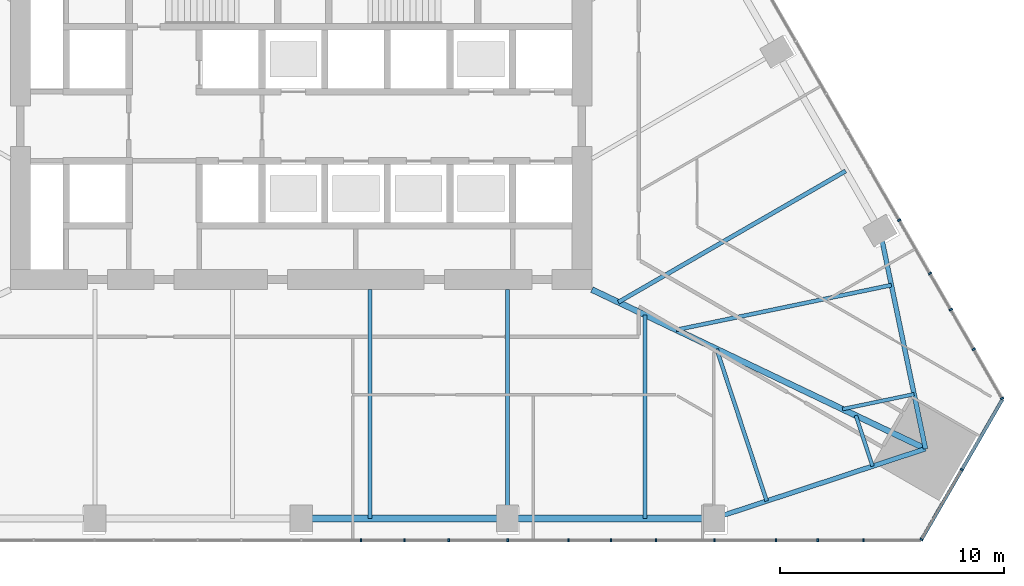
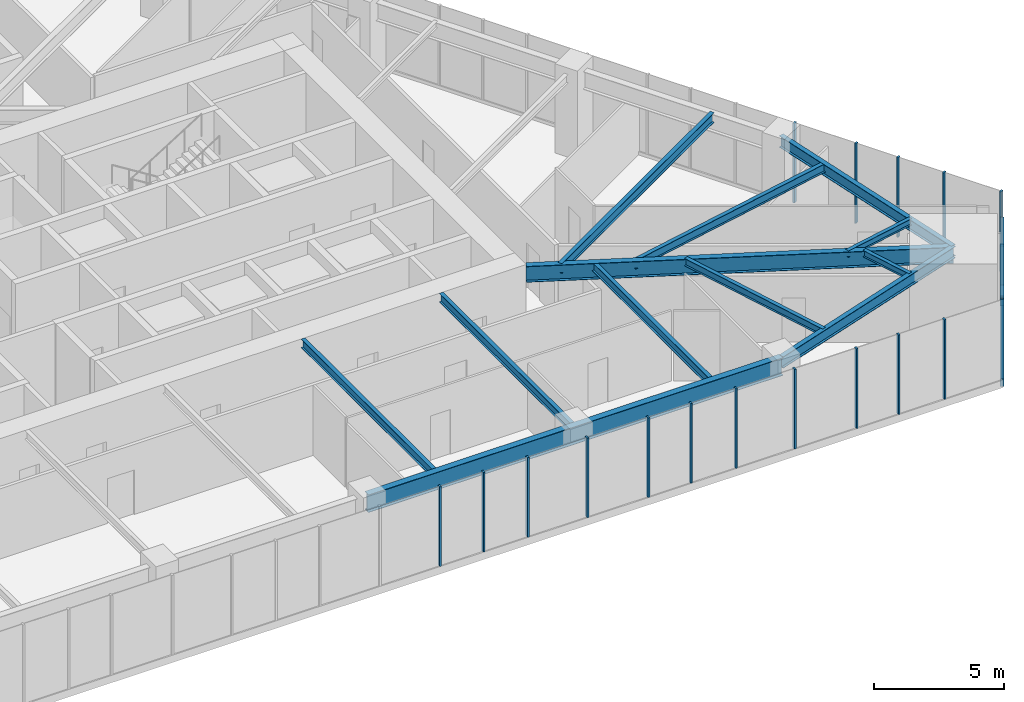
# One storey, part 6 of 19: 23 members, 12 beams, 3 elements without a shape of their own.
"""IFC4 building model written with IfcOpenShell, lengths in metres."""

from ifc_helpers import new_model, si_unit, direction, frame, origin, origin_2d, place, context, subcontext, project, spatial, rectangle, i_section, extrude, material, layer, layer_set, material_profile, profile_set, type_object, element, aggregate, save


model = new_model("IFC4")

# Units and contexts
model_context = context("Model", 3, precision=1e-05, world=origin(), true_north=direction((0.0, 1.0)))
body_context = subcontext(model_context, "Body", "Model", "MODEL_VIEW")
ifc_project = project(units=[si_unit("LENGTHUNIT", "METRE"), si_unit("AREAUNIT", "SQUARE_METRE"), si_unit("VOLUMEUNIT", "CUBIC_METRE"), si_unit("PLANEANGLEUNIT", "RADIAN"), si_unit("MASSUNIT", "GRAM", prefix="KILO")], contexts=[model_context])

# Site, building, storey
site_placement = place(None, origin())
site = spatial("IfcSite", under=ifc_project, at=site_placement, CompositionType="ELEMENT")
building_placement = place(site_placement, origin())
building = spatial("IfcBuilding", under=site, at=building_placement, Name="Firuza Gate Tower and Library", CompositionType="ELEMENT")
storey_placement = place(building_placement, frame((0.0, 0.0, 136.60009765625)))
storey = spatial("IfcBuildingStorey", under=building, at=storey_placement, Name="L31", CompositionType="ELEMENT", Elevation=136.60009765625)

# Curtain wall, members
ifc_material_1 = material(Name="Aluminium 6063-T6", Category="aluminium")
ifc_layer_1 = layer(ifc_material_1, 0.14990234375)
ifc_layer_set_1 = layer_set([ifc_layer_1], Name="Unitised curtain wall, offices")
curtain_wall_type_1 = type_object("IfcCurtainWallType", Name="Unitised curtain wall, offices", PredefinedType="NOTDEFINED", material=ifc_layer_set_1)
placement = place(storey_placement, origin())
curtain_wall_1 = element("IfcCurtainWall", 1, at=placement, inside=storey, type_object=curtain_wall_type_1, Name="CW1 L31 S face", PredefinedType="NOTDEFINED")
ifc_material_2 = material(Name="Aluminium 6063-T6", Category="aluminium")
ifc_material_profile_1 = material_profile(ifc_material_2, rectangle(XDim=0.14990234375, YDim=0.080078125, at=origin_2d()))
ifc_profile_set_1 = profile_set([ifc_material_profile_1], Name="Aluminium 6063-T6")
member_type_1 = type_object("IfcMemberType", Name="Curtain wall mullion 80x150", PredefinedType="MULLION", material=ifc_profile_set_1)
member_1_placement = place(storey_placement, frame((79.618896484375, 54.793212890625, 0.14990234375), z_axis=(0.0, 0.0, 1.0), x_axis=(0.0, 1.0, 0.0)))
member_1 = element("IfcMember", 2, at=member_1_placement, type_object=member_type_1, Name="Mullion", PredefinedType="MULLION", context=body_context, shape_type="SweptSolid", body=[
    extrude(rectangle(XDim=0.14990234375, YDim=0.080078125, at=origin_2d()), origin(), (0.0, 0.0, 1.0), 3.75),
])
member_2_placement = place(storey_placement, frame((84.237548828125, 54.793212890625, 0.14990234375), z_axis=(0.0, 0.0, 1.0), x_axis=(0.0, 1.0, 0.0)))
member_2 = element("IfcMember", 3, at=member_2_placement, type_object=member_type_1, Name="Mullion", PredefinedType="MULLION", context=body_context, shape_type="SweptSolid", body=[
    extrude(rectangle(XDim=0.14990234375, YDim=0.080078125, at=origin_2d()), origin(), (0.0, 0.0, 1.0), 3.75),
])
member_3_placement = place(storey_placement, frame((88.8564453125, 54.793212890625, 0.14990234375), z_axis=(0.0, 0.0, 1.0), x_axis=(0.0, 1.0, 0.0)))
member_3 = element("IfcMember", 4, at=member_3_placement, type_object=member_type_1, Name="Mullion", PredefinedType="MULLION", context=body_context, shape_type="SweptSolid", body=[
    extrude(rectangle(XDim=0.14990234375, YDim=0.080078125, at=origin_2d()), origin(), (0.0, 0.0, 1.0), 3.75),
])
member_4_placement = place(storey_placement, frame((93.47509765625, 54.793212890625, 0.14990234375), z_axis=(0.0, 0.0, 1.0), x_axis=(0.0, 1.0, 0.0)))
member_4 = element("IfcMember", 5, at=member_4_placement, type_object=member_type_1, Name="Mullion", PredefinedType="MULLION", context=body_context, shape_type="SweptSolid", body=[
    extrude(rectangle(XDim=0.14990234375, YDim=0.080078125, at=origin_2d()), origin(), (0.0, 0.0, 1.0), 3.75),
])
member_5_placement = place(storey_placement, frame((98.093994140625, 54.793212890625, 0.14990234375), z_axis=(0.0, 0.0, 1.0), x_axis=(0.0, 1.0, 0.0)))
member_5 = element("IfcMember", 6, at=member_5_placement, type_object=member_type_1, Name="Mullion", PredefinedType="MULLION", context=body_context, shape_type="SweptSolid", body=[
    extrude(rectangle(XDim=0.14990234375, YDim=0.080078125, at=origin_2d()), origin(), (0.0, 0.0, 1.0), 3.75),
])
member_6_placement = place(storey_placement, frame((77.679931640625, 54.793212890625, 0.14990234375), z_axis=(0.0, 0.0, 1.0), x_axis=(0.0, 1.0, 0.0)))
member_6 = element("IfcMember", 7, at=member_6_placement, type_object=member_type_1, Name="Mullion", PredefinedType="MULLION", context=body_context, shape_type="SweptSolid", body=[
    extrude(rectangle(XDim=0.14990234375, YDim=0.080078125, at=origin_2d()), origin(), (0.0, 0.0, 1.0), 3.75),
])
member_7_placement = place(storey_placement, frame((81.59228515625, 54.793212890625, 0.14990234375), z_axis=(0.0, 0.0, 1.0), x_axis=(0.0, 1.0, 0.0)))
member_7 = element("IfcMember", 8, at=member_7_placement, type_object=member_type_1, Name="Mullion", PredefinedType="MULLION", context=body_context, shape_type="SweptSolid", body=[
    extrude(rectangle(XDim=0.14990234375, YDim=0.080078125, at=origin_2d()), origin(), (0.0, 0.0, 1.0), 3.75),
])
member_8_placement = place(storey_placement, frame((86.952392578125, 54.793212890625, 0.14990234375), z_axis=(0.0, 0.0, 1.0), x_axis=(0.0, 1.0, 0.0)))
member_8 = element("IfcMember", 9, at=member_8_placement, type_object=member_type_1, Name="Mullion", PredefinedType="MULLION", context=body_context, shape_type="SweptSolid", body=[
    extrude(rectangle(XDim=0.14990234375, YDim=0.080078125, at=origin_2d()), origin(), (0.0, 0.0, 1.0), 3.75),
])
member_9_placement = place(storey_placement, frame((90.864501953125, 54.793212890625, 0.14990234375), z_axis=(0.0, 0.0, 1.0), x_axis=(0.0, 1.0, 0.0)))
member_9 = element("IfcMember", 10, at=member_9_placement, type_object=member_type_1, Name="Mullion", PredefinedType="MULLION", context=body_context, shape_type="SweptSolid", body=[
    extrude(rectangle(XDim=0.14990234375, YDim=0.080078125, at=origin_2d()), origin(), (0.0, 0.0, 1.0), 3.75),
])
member_10_placement = place(storey_placement, frame((96.224609375, 54.793212890625, 0.14990234375), z_axis=(0.0, 0.0, 1.0), x_axis=(0.0, 1.0, 0.0)))
member_10 = element("IfcMember", 11, at=member_10_placement, type_object=member_type_1, Name="Mullion", PredefinedType="MULLION", context=body_context, shape_type="SweptSolid", body=[
    extrude(rectangle(XDim=0.14990234375, YDim=0.080078125, at=origin_2d()), origin(), (0.0, 0.0, 1.0), 3.75),
])
member_11_placement = place(storey_placement, frame((100.13671875, 54.793212890625, 0.14990234375), z_axis=(0.0, 0.0, 1.0), x_axis=(0.0, 1.0, 0.0)))
member_11 = element("IfcMember", 12, at=member_11_placement, type_object=member_type_1, Name="Mullion", PredefinedType="MULLION", context=body_context, shape_type="SweptSolid", body=[
    extrude(rectangle(XDim=0.14990234375, YDim=0.080078125, at=origin_2d()), origin(), (0.0, 0.0, 1.0), 3.75),
])
aggregate(curtain_wall_1, [member_1, member_2, member_3, member_4, member_5, member_6, member_7, member_8, member_9, member_10, member_11])

ifc_material_3 = material(Name="Aluminium 6063-T6", Category="aluminium")
ifc_layer_2 = layer(ifc_material_3, 0.14990234375)
ifc_layer_set_2 = layer_set([ifc_layer_2], Name="Corner curtain wall, chamfers")
curtain_wall_type_2 = type_object("IfcCurtainWallType", Name="Corner curtain wall, chamfers", PredefinedType="NOTDEFINED", material=ifc_layer_set_2)
curtain_wall_2 = element("IfcCurtainWall", 13, at=placement, inside=storey, type_object=curtain_wall_type_2, Name="CW4 L31 SE corner", PredefinedType="NOTDEFINED")
member_12_placement = place(storey_placement, frame((102.732666015625, 54.827880859375, 0.14990234375), z_axis=(0.0, 0.0, 1.0), x_axis=(-0.866025403784, 0.5, 0.0)))
member_12 = element("IfcMember", 14, at=member_12_placement, type_object=member_type_1, Name="Mullion", PredefinedType="MULLION", context=body_context, shape_type="SweptSolid", body=[
    extrude(rectangle(XDim=0.14990234375, YDim=0.080078125, at=origin_2d()), origin(), (0.0, 0.0, 1.0), 3.75),
])
member_13_placement = place(storey_placement, frame((104.534423828125, 57.9482421875, 0.14990234375), z_axis=(0.0, 0.0, 1.0), x_axis=(-0.866025403784, 0.5, 0.0)))
member_13 = element("IfcMember", 15, at=member_13_placement, type_object=member_type_1, Name="Mullion", PredefinedType="MULLION", context=body_context, shape_type="SweptSolid", body=[
    extrude(rectangle(XDim=0.14990234375, YDim=0.080078125, at=origin_2d()), origin(), (0.0, 0.0, 1.0), 3.75),
])

curtain_wall_3 = element("IfcCurtainWall", 16, at=placement, inside=storey, type_object=curtain_wall_type_1, Name="CW1 L31 E face", PredefinedType="NOTDEFINED")
member_14_placement = place(storey_placement, frame((106.3359375, 61.13818359375, 0.14990234375), z_axis=(0.0, 0.0, 1.0), x_axis=(-0.866025403784, -0.5, 0.0)))
member_14 = element("IfcMember", 17, at=member_14_placement, type_object=member_type_1, Name="Mullion", PredefinedType="MULLION", context=body_context, shape_type="SweptSolid", body=[
    extrude(rectangle(XDim=0.14990234375, YDim=0.080078125, at=origin_2d()), origin(), (0.0, 0.0, 1.0), 3.75),
])
member_15_placement = place(storey_placement, frame((104.046630859375, 65.103515625, 0.14990234375), z_axis=(0.0, 0.0, 1.0), x_axis=(-0.866025403784, -0.5, 0.0)))
member_15 = element("IfcMember", 18, at=member_15_placement, type_object=member_type_1, Name="Mullion", PredefinedType="MULLION", context=body_context, shape_type="SweptSolid", body=[
    extrude(rectangle(XDim=0.14990234375, YDim=0.080078125, at=origin_2d()), origin(), (0.0, 0.0, 1.0), 3.75),
])
member_16_placement = place(storey_placement, frame((101.7373046875, 69.103515625, 0.14990234375), z_axis=(0.0, 0.0, 1.0), x_axis=(-0.866025403784, -0.5, 0.0)))
member_16 = element("IfcMember", 19, at=member_16_placement, type_object=member_type_1, Name="Mullion", PredefinedType="MULLION", context=body_context, shape_type="SweptSolid", body=[
    extrude(rectangle(XDim=0.14990234375, YDim=0.080078125, at=origin_2d()), origin(), (0.0, 0.0, 1.0), 3.75),
])
member_17_placement = place(storey_placement, frame((105.068115234375, 63.334228515625, 0.14990234375), z_axis=(0.0, 0.0, 1.0), x_axis=(-0.866025403784, -0.5, 0.0)))
member_17 = element("IfcMember", 20, at=member_17_placement, type_object=member_type_1, Name="Mullion", PredefinedType="MULLION", context=body_context, shape_type="SweptSolid", body=[
    extrude(rectangle(XDim=0.14990234375, YDim=0.080078125, at=origin_2d()), origin(), (0.0, 0.0, 1.0), 3.75),
])
member_18_placement = place(storey_placement, frame((103.112060546875, 66.722412109375, 0.14990234375), z_axis=(0.0, 0.0, 1.0), x_axis=(-0.866025403784, -0.5, 0.0)))
member_18 = element("IfcMember", 21, at=member_18_placement, type_object=member_type_1, Name="Mullion", PredefinedType="MULLION", context=body_context, shape_type="SweptSolid", body=[
    extrude(rectangle(XDim=0.14990234375, YDim=0.080078125, at=origin_2d()), origin(), (0.0, 0.0, 1.0), 3.75),
])
aggregate(curtain_wall_3, [member_14, member_15, member_16, member_17, member_18])

# Member
ifc_material_4 = material(Name="Aluminium 6063-T6", Category="aluminium")
ifc_material_profile_2 = material_profile(ifc_material_4, rectangle(XDim=0.14990234375, YDim=0.35009765625, at=origin_2d()))
ifc_profile_set_2 = profile_set([ifc_material_profile_2], Name="Aluminium 6063-T6")
member_type_2 = type_object("IfcMemberType", Name="Curtain wall transom 350x150", PredefinedType="USERDEFINED", material=ifc_profile_set_2)
member_19_placement = place(storey_placement, frame((102.712646484375, 54.793212890625, -0.025146484375), z_axis=(0.500070225731, 0.865984855143, 0.0), x_axis=(-0.865984855143, 0.500070225731, 0.0)))
member_19 = element("IfcMember", 22, at=member_19_placement, type_object=member_type_2, Name="Transom", ObjectType="TRANSOM", PredefinedType="USERDEFINED", context=body_context, shape_type="SweptSolid", body=[
    extrude(rectangle(XDim=0.14990234375, YDim=0.35009765625, at=origin_2d()), origin(), (0.0, 0.0, 1.0), 1.863525390625),
])

member_20_placement = place(storey_placement, frame((105.42431640625, 59.48974609375, -0.025146484375), z_axis=(0.499971966783, 0.866041588165, 0.0), x_axis=(-0.866041588165, 0.499971966783, 0.0)))
member_20 = element("IfcMember", 23, at=member_20_placement, type_object=member_type_2, Name="Transom", ObjectType="TRANSOM", PredefinedType="USERDEFINED", context=body_context, shape_type="SweptSolid", body=[
    extrude(rectangle(XDim=0.14990234375, YDim=0.35009765625, at=origin_2d()), origin(), (0.0, 0.0, 1.0), 1.86328125),
])

ifc_material_5 = material(Name="Aluminium 6063-T6", Category="aluminium")
ifc_material_profile_3 = material_profile(ifc_material_5, rectangle(XDim=0.14990234375, YDim=0.080078125, at=origin_2d()))
ifc_profile_set_3 = profile_set([ifc_material_profile_3], Name="Aluminium 6063-T6")
member_type_3 = type_object("IfcMemberType", Name="Curtain wall transom 80x150", PredefinedType="USERDEFINED", material=ifc_profile_set_3)
member_21_placement = place(storey_placement, frame((102.732666015625, 54.827880859375, 2.02490234375), z_axis=(0.500015035186, 0.866016723041, 0.0), x_axis=(-0.866016723041, 0.500015035186, 0.0)))
member_21 = element("IfcMember", 24, at=member_21_placement, type_object=member_type_3, Name="Transom", ObjectType="TRANSOM", PredefinedType="USERDEFINED", context=body_context, shape_type="SweptSolid", body=[
    extrude(rectangle(XDim=0.14990234375, YDim=0.080078125, at=origin_2d()), origin(), (0.0, 0.0, 1.0), 3.5634765625),
])

member_22_placement = place(storey_placement, frame((104.554443359375, 57.98291015625, 1.449951171875), z_axis=(0.49996364809, 0.866046390552, 0.0), x_axis=(-0.866046390552, 0.49996364809, 0.0)))
member_22 = element("IfcMember", 25, at=member_22_placement, type_object=member_type_3, Name="Transom", ObjectType="TRANSOM", PredefinedType="USERDEFINED", context=body_context, shape_type="SweptSolid", body=[
    extrude(rectangle(XDim=0.14990234375, YDim=0.080078125, at=origin_2d()), origin(), (0.0, 0.0, 1.0), 3.563232421875),
])

member_23_placement = place(storey_placement, frame((104.554443359375, 57.98291015625, 2.6748046875), z_axis=(0.49996364809, 0.866046390552, 0.0), x_axis=(-0.866046390552, 0.49996364809, 0.0)))
member_23 = element("IfcMember", 26, at=member_23_placement, type_object=member_type_3, Name="Transom", ObjectType="TRANSOM", PredefinedType="USERDEFINED", context=body_context, shape_type="SweptSolid", body=[
    extrude(rectangle(XDim=0.14990234375, YDim=0.080078125, at=origin_2d()), origin(), (0.0, 0.0, 1.0), 3.563232421875),
])

aggregate(curtain_wall_2, [member_12, member_13, member_19, member_20, member_21, member_22, member_23])

# Beams
ifc_material_6 = material(Name="Steel S355", Category="steel")
ifc_material_profile_4 = material_profile(ifc_material_6, i_section(OverallWidth=0.1650390625, OverallDepth=0.31005859375, WebThickness=0.005859375, FlangeThickness=0.009765625, at=origin_2d()))
ifc_profile_set_4 = profile_set([ifc_material_profile_4], Name="Steel S355")
beam_type_1 = type_object("IfcBeamType", Name="W310x39 Floor beam", PredefinedType="JOIST", material=ifc_profile_set_4)
beam_1_placement = place(storey_placement, frame((100.54443359375, 58.1064453125, 3.744873046875), z_axis=(-0.312876835731, 0.949793706898, 0.0), x_axis=(-0.949793706898, -0.312876835731, 0.0)))
element("IfcBeam", 27, at=beam_1_placement, inside=storey, type_object=beam_type_1, Name="Floor beam L31 s31", PredefinedType="JOIST", context=body_context, shape_type="SweptSolid", body=[
    extrude(i_section(OverallWidth=0.1650390625, OverallDepth=0.31005859375, WebThickness=0.005859375, FlangeThickness=0.009765625, at=origin_2d()), origin(), (0.0, 0.0, 1.0), 2.3837890625),
])
beam_2_placement = place(storey_placement, frame((102.402587890625, 61.32470703125, 3.744873046875), z_axis=(-0.978986004268, -0.203927446527, 0.0), x_axis=(0.203927446527, -0.978986004268, 0.0)))
element("IfcBeam", 28, at=beam_2_placement, inside=storey, type_object=beam_type_1, Name="Floor beam L31 s40", PredefinedType="JOIST", context=body_context, shape_type="SweptSolid", body=[
    extrude(i_section(OverallWidth=0.1650390625, OverallDepth=0.31005859375, WebThickness=0.005859375, FlangeThickness=0.009765625, at=origin_2d()), origin(), (0.0, 0.0, 1.0), 3.273193359375),
])
ifc_material_7 = material(Name="Steel S355", Category="steel")
ifc_material_profile_5 = material_profile(ifc_material_7, i_section(OverallWidth=0.1708984375, OverallDepth=0.35498046875, WebThickness=0.007080078125, FlangeThickness=0.01171875, at=origin_2d()))
ifc_profile_set_5 = profile_set([ifc_material_profile_5], Name="Steel S355")
beam_type_2 = type_object("IfcBeamType", Name="W360x51 Floor beam", PredefinedType="JOIST", material=ifc_profile_set_5)
beam_3_placement = place(storey_placement, frame((95.812255859375, 56.547607421875, 3.722412109375), z_axis=(-0.312876835731, 0.949793706898, 0.0), x_axis=(-0.949793706898, -0.312876835731, 0.0)))
element("IfcBeam", 29, at=beam_3_placement, inside=storey, type_object=beam_type_2, Name="Floor beam L31 s30", PredefinedType="JOIST", context=body_context, shape_type="SweptSolid", body=[
    extrude(i_section(OverallWidth=0.1708984375, OverallDepth=0.35498046875, WebThickness=0.007080078125, FlangeThickness=0.01171875, at=origin_2d()), origin(), (0.0, 0.0, 1.0), 7.151611328125),
])
ifc_material_8 = material(Name="Steel S355", Category="steel")
ifc_material_profile_6 = material_profile(ifc_material_8, i_section(OverallWidth=0.177978515625, OverallDepth=0.406982421875, WebThickness=0.0078125, FlangeThickness=0.0126953125, at=origin_2d()))
ifc_profile_set_6 = profile_set([ifc_material_profile_6], Name="Steel S355")
beam_type_3 = type_object("IfcBeamType", Name="W410x60 Floor beam", PredefinedType="JOIST", material=ifc_profile_set_6)
for number, where, z_axis, x_axis, name in (
    (30, (78.074462890625, 55.76806640625, 3.6962890625), (0.0, 1.0, 0.0), (-1.0, 0.0, 0.0), "Floor beam L31 s23"),
    (31, (84.22314453125, 55.76806640625, 3.6962890625), (0.0, 1.0, 0.0), (-1.0, 0.0, 0.0), "Floor beam L31 s24"),
):
    element("IfcBeam", number, at=place(storey_placement, frame(where, z_axis=z_axis, x_axis=x_axis)), inside=storey, type_object=beam_type_3, Name=name, PredefinedType="JOIST", context=body_context, shape_type="SweptSolid", body=[
        extrude(i_section(OverallWidth=0.177978515625, OverallDepth=0.406982421875, WebThickness=0.0078125, FlangeThickness=0.0126953125, at=origin_2d()), origin(), (0.0, 0.0, 1.0), 10.23193359375),
    ])
beam_4_placement = place(storey_placement, frame((90.371826171875, 55.76806640625, 3.6962890625), z_axis=(0.0, 1.0, 0.0), x_axis=(-1.0, 0.0, 0.0)))
element("IfcBeam", 32, at=beam_4_placement, inside=storey, type_object=beam_type_3, Name="Floor beam L31 s25", PredefinedType="JOIST", context=body_context, shape_type="SweptSolid", body=[
    extrude(i_section(OverallWidth=0.177978515625, OverallDepth=0.406982421875, WebThickness=0.0078125, FlangeThickness=0.0126953125, at=origin_2d()), origin(), (0.0, 0.0, 1.0), 9.100341796875),
])
beam_5_placement = place(storey_placement, frame((101.386474609375, 66.2021484375, 3.6962890625), z_axis=(-0.978986004268, -0.203927446527, 0.0), x_axis=(0.203927446527, -0.978986004268, 0.0)))
element("IfcBeam", 33, at=beam_5_placement, inside=storey, type_object=beam_type_3, Name="Floor beam L31 s41", PredefinedType="JOIST", context=body_context, shape_type="SweptSolid", body=[
    extrude(i_section(OverallWidth=0.177978515625, OverallDepth=0.406982421875, WebThickness=0.0078125, FlangeThickness=0.0126953125, at=origin_2d()), origin(), (0.0, 0.0, 1.0), 9.8193359375),
])
ifc_material_9 = material(Name="Steel S355", Category="steel")
ifc_material_profile_7 = material_profile(ifc_material_9, i_section(OverallWidth=0.18994140625, OverallDepth=0.45703125, WebThickness=0.009033203125, FlangeThickness=0.014404296875, at=origin_2d()))
ifc_profile_set_7 = profile_set([ifc_material_profile_7], Name="Steel S355")
beam_type_4 = type_object("IfcBeamType", Name="W460x74 Floor beam", PredefinedType="JOIST", material=ifc_profile_set_7)
beam_6_placement = place(storey_placement, frame((99.34130859375, 71.303466796875, 3.67138671875), z_axis=(-0.866028270824, -0.499995034109, 0.0), x_axis=(0.499995034109, -0.866028270824, 0.0)))
element("IfcBeam", 34, at=beam_6_placement, inside=storey, type_object=beam_type_4, Name="Floor beam L31 s50", PredefinedType="JOIST", context=body_context, shape_type="SweptSolid", body=[
    extrude(i_section(OverallWidth=0.18994140625, OverallDepth=0.45703125, WebThickness=0.009033203125, FlangeThickness=0.014404296875, at=origin_2d()), origin(), (0.0, 0.0, 1.0), 11.73291015625),
])
ifc_material_10 = material(Name="Steel S355", Category="steel")
ifc_material_profile_8 = material_profile(ifc_material_10, i_section(OverallWidth=0.212890625, OverallDepth=0.5390625, WebThickness=0.01171875, FlangeThickness=0.018798828125, at=origin_2d()))
ifc_profile_set_8 = profile_set([ifc_material_profile_8], Name="Steel S355")
beam_type_5 = type_object("IfcBeamType", Name="W530x109 Edge beam", PredefinedType="SPANDREL", material=ifc_profile_set_8)
beam_7_placement = place(storey_placement, frame((93.4462890625, 55.76806640625, 3.63037109375), z_axis=(0.949794609737, 0.312874094989, 0.0), x_axis=(-0.312874094989, 0.949794609737, 0.0)))
element("IfcBeam", 35, at=beam_7_placement, inside=storey, type_object=beam_type_5, Name="Edge beam L31 e30", PredefinedType="SPANDREL", context=body_context, shape_type="SweptSolid", body=[
    extrude(i_section(OverallWidth=0.212890625, OverallDepth=0.5390625, WebThickness=0.01171875, FlangeThickness=0.018798828125, at=origin_2d()), origin(), (0.0, 0.0, 1.0), 9.964599609375),
])
beam_8_placement = place(storey_placement, frame((102.91064453125, 58.8857421875, 3.63037109375), z_axis=(-0.203940556749, 0.978983273255, 0.0), x_axis=(-0.978983273255, -0.203940556749, 0.0)))
element("IfcBeam", 36, at=beam_8_placement, inside=storey, type_object=beam_type_5, Name="Edge beam L31 e40", PredefinedType="SPANDREL", context=body_context, shape_type="SweptSolid", body=[
    extrude(i_section(OverallWidth=0.212890625, OverallDepth=0.5390625, WebThickness=0.01171875, FlangeThickness=0.018798828125, at=origin_2d()), origin(), (0.0, 0.0, 1.0), 9.96484375),
])
ifc_material_11 = material(Name="Steel S355", Category="steel")
ifc_material_profile_9 = material_profile(ifc_material_11, i_section(OverallWidth=0.264892578125, OverallDepth=0.7529296875, WebThickness=0.01318359375, FlangeThickness=0.01708984375, at=origin_2d()))
ifc_profile_set_9 = profile_set([ifc_material_profile_9], Name="Steel S355")
beam_type_6 = type_object("IfcBeamType", Name="W760x147 Girder", PredefinedType="BEAM", material=ifc_profile_set_9)
beam_9_placement = place(storey_placement, frame((102.91064453125, 58.8857421875, 3.5234375), z_axis=(-0.902532470382, 0.430621806119, 0.0), x_axis=(-0.430621806119, -0.902532470382, 0.0)))
element("IfcBeam", 37, at=beam_9_placement, inside=storey, type_object=beam_type_6, Name="Girder L31 gSE", PredefinedType="BEAM", context=body_context, shape_type="SweptSolid", body=[
    extrude(i_section(OverallWidth=0.264892578125, OverallDepth=0.7529296875, WebThickness=0.01318359375, FlangeThickness=0.01708984375, at=origin_2d()), origin(), (0.0, 0.0, 1.0), 16.52099609375),
])
ifc_material_12 = material(Name="Steel S355", Category="steel")
ifc_material_profile_10 = material_profile(ifc_material_12, i_section(OverallWidth=0.2919921875, OverallDepth=0.8349609375, WebThickness=0.013916015625, FlangeThickness=0.018798828125, at=origin_2d()))
ifc_profile_set_10 = profile_set([ifc_material_profile_10], Name="Steel S355")
beam_type_7 = type_object("IfcBeamType", Name="W840x176 Edge beam", PredefinedType="SPANDREL", material=ifc_profile_set_10)
beam_10_placement = place(storey_placement, frame((75.0, 55.76806640625, 3.482421875), z_axis=(1.0, 0.0, 0.0), x_axis=(0.0, 1.0, 0.0)))
element("IfcBeam", 38, at=beam_10_placement, inside=storey, type_object=beam_type_7, Name="Edge beam L31 e22", PredefinedType="SPANDREL", context=body_context, shape_type="SweptSolid", body=[
    extrude(i_section(OverallWidth=0.2919921875, OverallDepth=0.8349609375, WebThickness=0.013916015625, FlangeThickness=0.018798828125, at=origin_2d()), origin(), (0.0, 0.0, 1.0), 18.4462890625),
])

save(model, "model.ifc")
